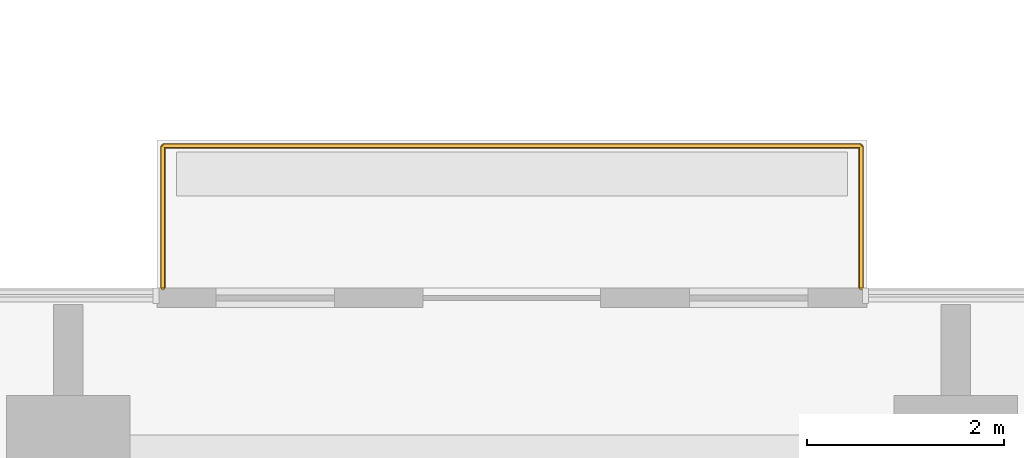
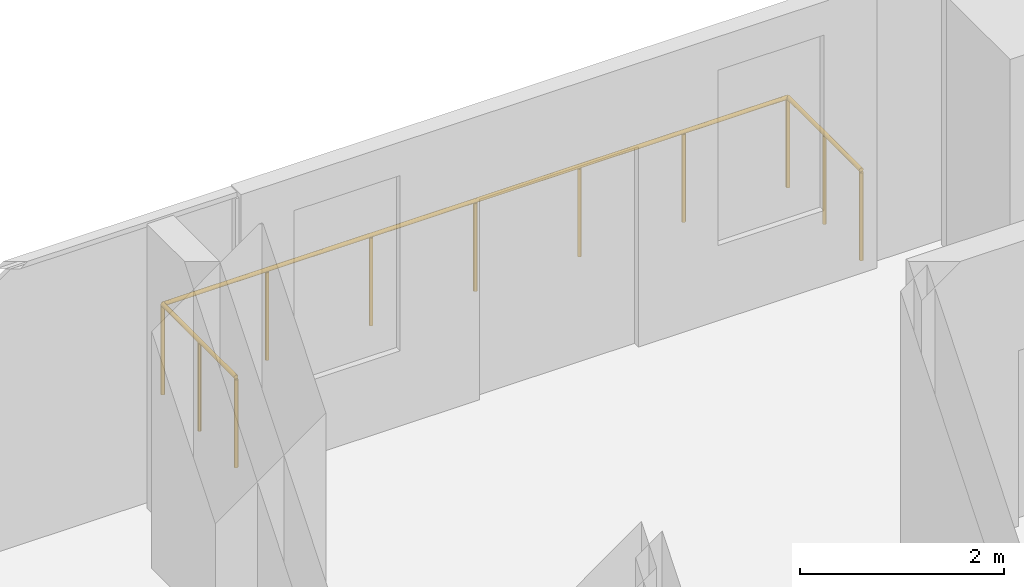
# One storey, part 22 of 23: 1 railing.
"""IFC4 building model written with IfcOpenShell, lengths in metres."""

from ifc_helpers import new_model, si_unit, direction, frame, origin, origin_2d, place, context, subcontext, project, spatial, circle, extrude, material, type_object, element, save


model = new_model("IFC4")

# Units and contexts
model_context = context("Model", 3, precision=1e-05, world=origin(), true_north=direction((0.0, 1.0)))
body_context = subcontext(model_context, "Body", "Model", "MODEL_VIEW")
ifc_project = project(units=[si_unit("LENGTHUNIT", "METRE"), si_unit("AREAUNIT", "SQUARE_METRE"), si_unit("VOLUMEUNIT", "CUBIC_METRE"), si_unit("PLANEANGLEUNIT", "RADIAN"), si_unit("MASSUNIT", "GRAM", prefix="KILO")], contexts=[model_context])

# Site, building, storey
site_placement = place(None, origin())
site = spatial("IfcSite", under=ifc_project, at=site_placement, CompositionType="ELEMENT")
building_placement = place(site_placement, origin())
building = spatial("IfcBuilding", under=site, at=building_placement, Name="Ogive Portal Towers", CompositionType="ELEMENT")
storey_placement = place(building_placement, frame((0.0, 0.0, 127.800048828125)))
storey = spatial("IfcBuildingStorey", under=building, at=storey_placement, Name="L31", CompositionType="ELEMENT", Elevation=127.800048828125)

# Railing
ifc_material = material(Name="Steel S355", Category="steel")
railing_type = type_object("IfcRailingType", Name="BALUSTRADE GLASS 1100", PredefinedType="BALUSTRADE", material=ifc_material)
railing_placement = place(storey_placement, frame((68.4599609375, 41.215087890625, 0.0)))
element("IfcRailing", 1, at=railing_placement, inside=storey, type_object=railing_type, Name="A:L31:bal:T2:rail", PredefinedType="BALUSTRADE", context=body_context, shape_type="SweptSolid", body=[
    extrude(circle(Radius=0.02392578125, at=origin_2d()), frame((0.0, 0.0, 1.076171875), z_axis=(0.0, 1.0, 0.0), x_axis=(-1.0, 0.0, 0.0)), (0.0, 0.0, 1.0), 1.43994140625),
    extrude(circle(Radius=0.02392578125, at=origin_2d()), frame((0.0, 1.43994140625, 1.076171875), z_axis=(1.0, 0.0, 0.0), x_axis=(0.0, 1.0, 0.0)), (0.0, 0.0, 1.0), 7.080078125),
    extrude(circle(Radius=0.02392578125, at=origin_2d()), frame((7.080078125, 1.43994140625, 1.076171875), z_axis=(0.0, -1.0, 0.0), x_axis=(1.0, 0.0, 0.0)), (0.0, 0.0, 1.0), 1.43994140625),
    extrude(circle(Radius=0.02099609375, at=origin_2d()), origin(), (0.0, 0.0, 1.0), 1.052001953125),
    extrude(circle(Radius=0.02099609375, at=origin_2d()), frame((0.0, 0.719970703125, 0.0)), (0.0, 0.0, 1.0), 1.052001953125),
    extrude(circle(Radius=0.02099609375, at=origin_2d()), frame((0.0, 1.43994140625, 0.0)), (0.0, 0.0, 1.0), 1.052001953125),
    extrude(circle(Radius=0.02099609375, at=origin_2d()), frame((1.179931640625, 1.43994140625, 0.0)), (0.0, 0.0, 1.0), 1.052001953125),
    extrude(circle(Radius=0.02099609375, at=origin_2d()), frame((2.360107421875, 1.43994140625, 0.0)), (0.0, 0.0, 1.0), 1.052001953125),
    extrude(circle(Radius=0.02099609375, at=origin_2d()), frame((3.5400390625, 1.43994140625, 0.0)), (0.0, 0.0, 1.0), 1.052001953125),
    extrude(circle(Radius=0.02099609375, at=origin_2d()), frame((4.719970703125, 1.43994140625, 0.0)), (0.0, 0.0, 1.0), 1.052001953125),
    extrude(circle(Radius=0.02099609375, at=origin_2d()), frame((5.900146484375, 1.43994140625, 0.0)), (0.0, 0.0, 1.0), 1.052001953125),
    extrude(circle(Radius=0.02099609375, at=origin_2d()), frame((7.080078125, 1.43994140625, 0.0)), (0.0, 0.0, 1.0), 1.052001953125),
    extrude(circle(Radius=0.02099609375, at=origin_2d()), frame((7.080078125, 0.719970703125, 0.0)), (0.0, 0.0, 1.0), 1.052001953125),
    extrude(circle(Radius=0.02099609375, at=origin_2d()), frame((7.080078125, 0.0, 0.0)), (0.0, 0.0, 1.0), 1.052001953125),
])

save(model, "model.ifc")
